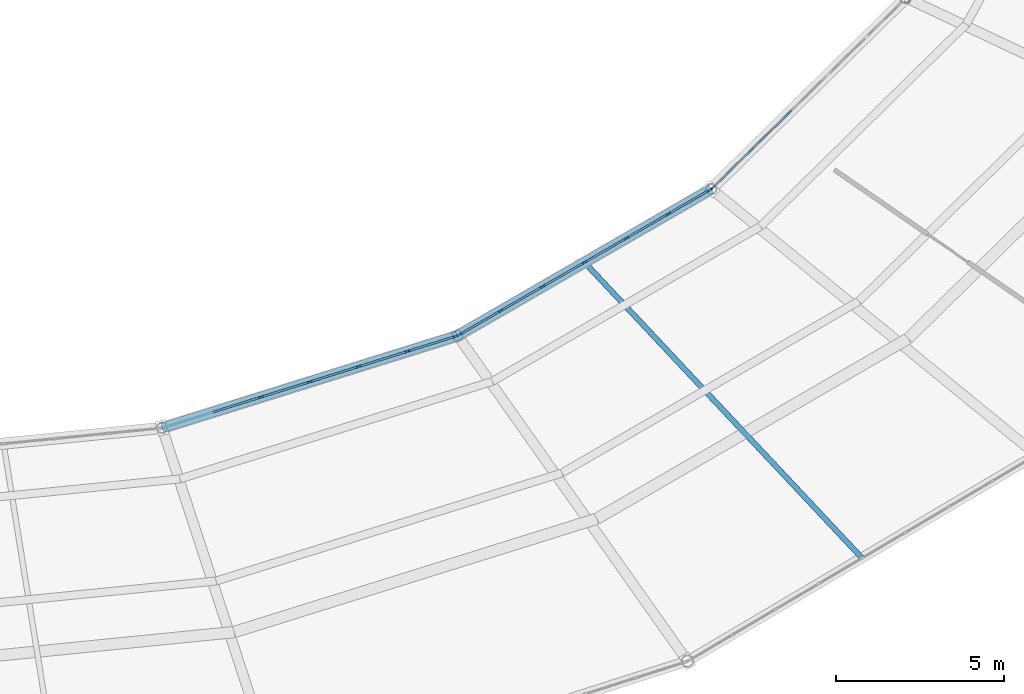
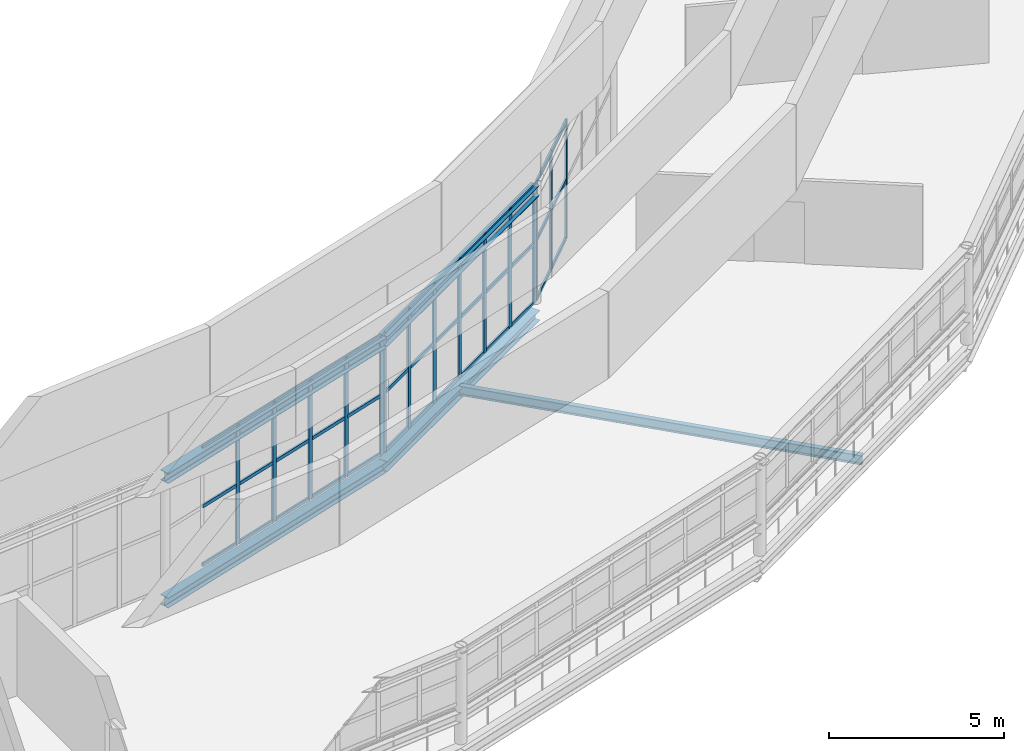
# One storey, part 46 of 123: 54 members, 5 beams, 3 elements without a shape of their own.
"""IFC4 building model written with IfcOpenShell, lengths in metres."""

from ifc_helpers import new_model, si_unit, direction, frame, origin, origin_2d, place, context, subcontext, project, spatial, rectangle, i_section, extrude, material, material_profile, profile_set, type_object, element, aggregate, save


model = new_model("IFC4")

# Units and contexts
model_context = context("Model", 3, precision=1e-05, world=origin(), true_north=direction((0.0, 1.0)))
body_context = subcontext(model_context, "Body", "Model", "MODEL_VIEW")
ifc_project = project(units=[si_unit("LENGTHUNIT", "METRE"), si_unit("AREAUNIT", "SQUARE_METRE"), si_unit("VOLUMEUNIT", "CUBIC_METRE"), si_unit("PLANEANGLEUNIT", "RADIAN"), si_unit("MASSUNIT", "GRAM", prefix="KILO")], contexts=[model_context])

# Site, building, storey
site_placement = place(None, origin())
site = spatial("IfcSite", under=ifc_project, at=site_placement, CompositionType="ELEMENT")
building_placement = place(site_placement, origin())
building = spatial("IfcBuilding", under=site, at=building_placement, Name="Kildeholm Park Wholesale Market", CompositionType="ELEMENT")
storey_placement = place(building_placement, frame((0.0, 0.0, 9.60009765625)))
storey = spatial("IfcBuildingStorey", under=building, at=storey_placement, Name="L02", CompositionType="ELEMENT", Elevation=9.60009765625)

# Beams
ifc_material_1 = material(Name="Steel S355", Category="steel")
ifc_material_profile_1 = material_profile(ifc_material_1, i_section(OverallWidth=0.300048828125, OverallDepth=0.35009765625, WebThickness=0.010009765625, FlangeThickness=0.017578125, FilletRadius=0.027099609375, at=origin_2d()), Name="HEA 360")
ifc_profile_set_1 = profile_set([ifc_material_profile_1], Name="Steel S355")
beam_type_1 = type_object("IfcBeamType", Name="Beam B-R01 HEA 360", PredefinedType="BEAM", material=ifc_profile_set_1)
beam_1_placement = place(storey_placement, frame((108.447021484375, 62.93701171875, -0.42919921875), z_axis=(0.9545990852, 0.297893582568, 0.0), x_axis=(-0.297893582568, 0.9545990852, 0.0)))
element("IfcBeam", 1, at=beam_1_placement, inside=storey, type_object=beam_type_1, Name="Beam BM-V1-L02-CI-19 BM-0178", PredefinedType="BEAM", context=body_context, shape_type="SweptSolid", body=[
    extrude(i_section(OverallWidth=0.300048828125, OverallDepth=0.35009765625, WebThickness=0.010009765625, FlangeThickness=0.017578125, FilletRadius=0.027099609375, at=origin_2d()), origin(), (0.0, 0.0, 1.0), 9.2216796875),
])
beam_2_placement = place(storey_placement, frame((117.25, 65.68408203125, -0.42919921875), z_axis=(0.865697347457, 0.500567780231, 0.0), x_axis=(-0.500567780231, 0.865697347457, 0.0)))
element("IfcBeam", 2, at=beam_2_placement, inside=storey, type_object=beam_type_1, Name="Beam BM-V1-L02-CI-20 BM-0187", PredefinedType="BEAM", context=body_context, shape_type="SweptSolid", body=[
    extrude(i_section(OverallWidth=0.300048828125, OverallDepth=0.35009765625, WebThickness=0.010009765625, FlangeThickness=0.017578125, FilletRadius=0.027099609375, at=origin_2d()), origin(), (0.0, 0.0, 1.0), 8.731689453125),
])
ifc_material_profile_2 = material_profile(ifc_material_1, i_section(OverallWidth=0.300048828125, OverallDepth=0.360107421875, WebThickness=0.012451171875, FlangeThickness=0.0224609375, FilletRadius=0.027099609375, at=origin_2d()), Name="HEB 360")
ifc_profile_set_2 = profile_set([ifc_material_profile_2], Name="Steel S355")
beam_type_2 = type_object("IfcBeamType", Name="Beam B-R03 HEB 360", PredefinedType="BEAM", material=ifc_profile_set_2)
beam_3_placement = place(storey_placement, frame((108.447021484375, 62.93701171875, 3.919921875), z_axis=(0.9545990852, 0.297893582568, 0.0), x_axis=(-0.297893582568, 0.9545990852, 0.0)))
element("IfcBeam", 3, at=beam_3_placement, inside=storey, type_object=beam_type_2, Name="Beam BM-V1-RF-IN-19 BM-0337", PredefinedType="BEAM", context=body_context, shape_type="SweptSolid", body=[
    extrude(i_section(OverallWidth=0.300048828125, OverallDepth=0.360107421875, WebThickness=0.012451171875, FlangeThickness=0.0224609375, FilletRadius=0.027099609375, at=origin_2d()), origin(), (0.0, 0.0, 1.0), 9.2216796875),
])
beam_4_placement = place(storey_placement, frame((117.25, 65.68408203125, 3.940185546875), z_axis=(0.865697347457, 0.500567780231, 0.0), x_axis=(-0.500567780231, 0.865697347457, 0.0)))
element("IfcBeam", 4, at=beam_4_placement, inside=storey, type_object=beam_type_2, Name="Beam BM-V1-RF-IN-20 BM-0343", PredefinedType="BEAM", context=body_context, shape_type="SweptSolid", body=[
    extrude(i_section(OverallWidth=0.300048828125, OverallDepth=0.360107421875, WebThickness=0.012451171875, FlangeThickness=0.0224609375, FilletRadius=0.027099609375, at=origin_2d()), origin(), (0.0, 0.0, 1.0), 8.731689453125),
])
ifc_material_profile_3 = material_profile(ifc_material_1, i_section(OverallWidth=0.159912109375, OverallDepth=0.330078125, WebThickness=0.007568359375, FlangeThickness=0.011474609375, FilletRadius=0.01806640625, at=origin_2d()), Name="IPE 330")
ifc_profile_set_3 = profile_set([ifc_material_profile_3], Name="Steel S355")
beam_type_3 = type_object("IfcBeamType", Name="Beam J-03 IPE 330", PredefinedType="JOIST", material=ifc_profile_set_3)
beam_5_placement = place(storey_placement, frame((121.043212890625, 67.85498046875, -0.4150390625), z_axis=(0.68439148237, -0.729114736416, 0.0), x_axis=(0.729114736416, 0.68439148237, 0.0)))
element("IfcBeam", 5, at=beam_5_placement, inside=storey, type_object=beam_type_3, Name="Beam JT-V1-L02-20 BM-0190", PredefinedType="JOIST", context=body_context, shape_type="SweptSolid", body=[
    extrude(i_section(OverallWidth=0.159912109375, OverallDepth=0.330078125, WebThickness=0.007568359375, FlangeThickness=0.011474609375, FilletRadius=0.01806640625, at=origin_2d()), origin(), (0.0, 0.0, 1.0), 12.04248046875),
])

# Curtain wall, members
ifc_material_2 = material(Name="Anodised aluminium and low-E double-glazed glass", Category="aluminium")
curtain_wall_type = type_object("IfcCurtainWallType", Name="Clerestory daylight stick curtain wall CW-02", PredefinedType="NOTDEFINED", material=ifc_material_2)
curtain_wall_1_placement = place(storey_placement, origin())
curtain_wall_1 = element("IfcCurtainWall", 6, at=curtain_wall_1_placement, inside=storey, type_object=curtain_wall_type, Name="Curtain wall CW-V1-IN2-19 CW-0098", PredefinedType="NOTDEFINED")
ifc_material_3 = material(Name="Anodised aluminium", Category="aluminium")
ifc_material_profile_4 = material_profile(ifc_material_3, rectangle(XDim=0.06005859375, YDim=0.14990234375, at=origin_2d()), Name="CWM 60x150")
ifc_profile_set_4 = profile_set([ifc_material_profile_4], Name="Anodised aluminium")
member_type_1 = type_object("IfcMemberType", Name="Curtain-wall mullion CWM-3 CWM 60x150", PredefinedType="MULLION", material=ifc_profile_set_4)
member_1_placement = place(storey_placement, frame((111.39599609375, 63.85302734375, 0.0), z_axis=(0.0, 0.0, 1.0), x_axis=(-0.297957339818, 0.954579186683, 0.0)))
member_1 = element("IfcMember", 7, at=member_1_placement, type_object=member_type_1, Name="CW-02 mullion 3 MEM-3101", PredefinedType="MULLION", context=body_context, shape_type="SweptSolid", body=[
    extrude(rectangle(XDim=0.06005859375, YDim=0.14990234375, at=origin_2d()), origin(), (0.0, 0.0, 1.0), 4.14990234375),
])
member_2_placement = place(storey_placement, frame((112.8505859375, 64.306884765625, 0.0), z_axis=(0.0, 0.0, 1.0), x_axis=(-0.297957339818, 0.954579186683, 0.0)))
member_2 = element("IfcMember", 8, at=member_2_placement, type_object=member_type_1, Name="CW-02 mullion 4 MEM-3102", PredefinedType="MULLION", context=body_context, shape_type="SweptSolid", body=[
    extrude(rectangle(XDim=0.06005859375, YDim=0.14990234375, at=origin_2d()), origin(), (0.0, 0.0, 1.0), 4.14990234375),
])
member_3_placement = place(storey_placement, frame((114.304931640625, 64.760986328125, 0.0), z_axis=(0.0, 0.0, 1.0), x_axis=(-0.297957339818, 0.954579186683, 0.0)))
member_3 = element("IfcMember", 9, at=member_3_placement, type_object=member_type_1, Name="CW-02 mullion 5 MEM-3103", PredefinedType="MULLION", context=body_context, shape_type="SweptSolid", body=[
    extrude(rectangle(XDim=0.06005859375, YDim=0.14990234375, at=origin_2d()), origin(), (0.0, 0.0, 1.0), 4.14990234375),
])
member_4_placement = place(storey_placement, frame((115.759521484375, 65.215087890625, 0.0), z_axis=(0.0, 0.0, 1.0), x_axis=(-0.297957339818, 0.954579186683, 0.0)))
member_4 = element("IfcMember", 10, at=member_4_placement, type_object=member_type_1, Name="CW-02 mullion 6 MEM-3104", PredefinedType="MULLION", context=body_context, shape_type="SweptSolid", body=[
    extrude(rectangle(XDim=0.06005859375, YDim=0.14990234375, at=origin_2d()), origin(), (0.0, 0.0, 1.0), 4.14990234375),
])
member_5_placement = place(storey_placement, frame((117.185302734375, 65.66015625, 0.0), z_axis=(0.0, 0.0, 1.0), x_axis=(-0.297957339818, 0.954579186683, 0.0)))
member_5 = element("IfcMember", 11, at=member_5_placement, type_object=member_type_1, Name="CW-02 mullion 7 MEM-3105", PredefinedType="MULLION", context=body_context, shape_type="SweptSolid", body=[
    extrude(rectangle(XDim=0.06005859375, YDim=0.14990234375, at=origin_2d()), origin(), (0.0, 0.0, 1.0), 4.14990234375),
])

curtain_wall_2_placement = place(storey_placement, origin())
curtain_wall_2 = element("IfcCurtainWall", 12, at=curtain_wall_2_placement, inside=storey, type_object=curtain_wall_type, Name="Curtain wall CW-V1-IN2-20 CW-0103", PredefinedType="NOTDEFINED")
member_6_placement = place(storey_placement, frame((117.31396484375, 65.716064453125, 0.0), z_axis=(0.0, 0.0, 1.0), x_axis=(-0.500489412982, 0.865742656621, 0.0)))
member_6 = element("IfcMember", 13, at=member_6_placement, type_object=member_type_1, Name="CW-02 mullion 1 MEM-3244", PredefinedType="MULLION", context=body_context, shape_type="SweptSolid", body=[
    extrude(rectangle(XDim=0.06005859375, YDim=0.14990234375, at=origin_2d()), origin(), (0.0, 0.0, 1.0), 4.14990234375),
])
member_7_placement = place(storey_placement, frame((118.536376953125, 66.422607421875, 0.0), z_axis=(0.0, 0.0, 1.0), x_axis=(-0.500489412982, 0.865742656621, 0.0)))
member_7 = element("IfcMember", 14, at=member_7_placement, type_object=member_type_1, Name="CW-02 mullion 2 MEM-3245", PredefinedType="MULLION", context=body_context, shape_type="SweptSolid", body=[
    extrude(rectangle(XDim=0.06005859375, YDim=0.14990234375, at=origin_2d()), origin(), (0.0, 0.0, 1.0), 4.14990234375),
])
member_8_placement = place(storey_placement, frame((119.78466796875, 67.144287109375, 0.0), z_axis=(0.0, 0.0, 1.0), x_axis=(-0.500489412982, 0.865742656621, 0.0)))
member_8 = element("IfcMember", 15, at=member_8_placement, type_object=member_type_1, Name="CW-02 mullion 3 MEM-3246", PredefinedType="MULLION", context=body_context, shape_type="SweptSolid", body=[
    extrude(rectangle(XDim=0.06005859375, YDim=0.14990234375, at=origin_2d()), origin(), (0.0, 0.0, 1.0), 4.14990234375),
])
member_9_placement = place(storey_placement, frame((121.032958984375, 67.865966796875, 0.0), z_axis=(0.0, 0.0, 1.0), x_axis=(-0.500489412982, 0.865742656621, 0.0)))
member_9 = element("IfcMember", 16, at=member_9_placement, type_object=member_type_1, Name="CW-02 mullion 4 MEM-3247", PredefinedType="MULLION", context=body_context, shape_type="SweptSolid", body=[
    extrude(rectangle(XDim=0.06005859375, YDim=0.14990234375, at=origin_2d()), origin(), (0.0, 0.0, 1.0), 4.14990234375),
])
member_10_placement = place(storey_placement, frame((122.28125, 68.587646484375, 0.0), z_axis=(0.0, 0.0, 1.0), x_axis=(-0.500489412982, 0.865742656621, 0.0)))
member_10 = element("IfcMember", 17, at=member_10_placement, type_object=member_type_1, Name="CW-02 mullion 5 MEM-3248", PredefinedType="MULLION", context=body_context, shape_type="SweptSolid", body=[
    extrude(rectangle(XDim=0.06005859375, YDim=0.14990234375, at=origin_2d()), origin(), (0.0, 0.0, 1.0), 4.14990234375),
])
member_11_placement = place(storey_placement, frame((123.52978515625, 69.309326171875, 0.0), z_axis=(0.0, 0.0, 1.0), x_axis=(-0.500489412982, 0.865742656621, 0.0)))
member_11 = element("IfcMember", 18, at=member_11_placement, type_object=member_type_1, Name="CW-02 mullion 6 MEM-3249", PredefinedType="MULLION", context=body_context, shape_type="SweptSolid", body=[
    extrude(rectangle(XDim=0.06005859375, YDim=0.14990234375, at=origin_2d()), origin(), (0.0, 0.0, 1.0), 4.14990234375),
])
member_12_placement = place(storey_placement, frame((124.751953125, 70.015869140625, 0.0), z_axis=(0.0, 0.0, 1.0), x_axis=(-0.500489412982, 0.865742656621, 0.0)))
member_12 = element("IfcMember", 19, at=member_12_placement, type_object=member_type_1, Name="CW-02 mullion 7 MEM-3250", PredefinedType="MULLION", context=body_context, shape_type="SweptSolid", body=[
    extrude(rectangle(XDim=0.06005859375, YDim=0.14990234375, at=origin_2d()), origin(), (0.0, 0.0, 1.0), 4.14990234375),
])

curtain_wall_3_placement = place(storey_placement, origin())
curtain_wall_3 = element("IfcCurtainWall", 20, at=curtain_wall_3_placement, inside=storey, type_object=curtain_wall_type, Name="Curtain wall CW-V1-IN2-21 CW-0108", PredefinedType="NOTDEFINED")
member_13_placement = place(storey_placement, frame((124.864501953125, 70.10107421875, 0.0), z_axis=(0.0, 0.0, 1.0), x_axis=(-0.700616534607, 0.713537995789, 0.0)))
member_13 = element("IfcMember", 21, at=member_13_placement, type_object=member_type_1, Name="CW-02 mullion 1 MEM-3377", PredefinedType="MULLION", context=body_context, shape_type="SweptSolid", body=[
    extrude(rectangle(XDim=0.06005859375, YDim=0.14990234375, at=origin_2d()), origin(), (0.0, 0.0, 1.0), 4.14990234375),
])
member_14_placement = place(storey_placement, frame((125.99169921875, 71.207763671875, 0.0), z_axis=(0.0, 0.0, 1.0), x_axis=(-0.700616534607, 0.713537995789, 0.0)))
member_14 = element("IfcMember", 22, at=member_14_placement, type_object=member_type_1, Name="CW-02 mullion 2 MEM-3378", PredefinedType="MULLION", context=body_context, shape_type="SweptSolid", body=[
    extrude(rectangle(XDim=0.06005859375, YDim=0.14990234375, at=origin_2d()), origin(), (0.0, 0.0, 1.0), 4.14990234375),
])
member_15_placement = place(storey_placement, frame((127.14013671875, 72.335693359375, 0.0), z_axis=(0.0, 0.0, 1.0), x_axis=(-0.700616534607, 0.713537995789, 0.0)))
member_15 = element("IfcMember", 23, at=member_15_placement, type_object=member_type_1, Name="CW-02 mullion 3 MEM-3379", PredefinedType="MULLION", context=body_context, shape_type="SweptSolid", body=[
    extrude(rectangle(XDim=0.06005859375, YDim=0.14990234375, at=origin_2d()), origin(), (0.0, 0.0, 1.0), 4.14990234375),
])

# Member
ifc_material_profile_5 = material_profile(ifc_material_3, rectangle(XDim=0.06005859375, YDim=0.1201171875, at=origin_2d()), Name="CWT 60x120")
ifc_profile_set_5 = profile_set([ifc_material_profile_5], Name="Anodised aluminium")
member_type_2 = type_object("IfcMemberType", Name="Curtain-wall transom CWT-3 CWT 60x120", PredefinedType="USERDEFINED", material=ifc_profile_set_5)
member_16_placement = place(storey_placement, frame((109.97021484375, 63.407958984375, 0.02978515625), z_axis=(0.954595656964, 0.297904568118, 0.0), x_axis=(-0.297904568118, 0.954595656964, 0.0)))
member_16 = element("IfcMember", 24, at=member_16_placement, type_object=member_type_2, Name="CW-02 transom 2.1 MEM-3109", ObjectType="TRANSOM", PredefinedType="USERDEFINED", context=body_context, shape_type="SweptSolid", body=[
    extrude(rectangle(XDim=0.06005859375, YDim=0.1201171875, at=origin_2d()), origin(), (0.0, 0.0, 1.0), 1.463623046875),
])

member_17_placement = place(storey_placement, frame((109.97021484375, 63.407958984375, 2.074951171875), z_axis=(0.954595656964, 0.297904568118, 0.0), x_axis=(-0.297904568118, 0.954595656964, 0.0)))
member_17 = element("IfcMember", 25, at=member_17_placement, type_object=member_type_2, Name="CW-02 transom 2.2 MEM-3110", ObjectType="TRANSOM", PredefinedType="USERDEFINED", context=body_context, shape_type="SweptSolid", body=[
    extrude(rectangle(XDim=0.06005859375, YDim=0.1201171875, at=origin_2d()), origin(), (0.0, 0.0, 1.0), 1.463623046875),
])

member_18_placement = place(storey_placement, frame((109.97021484375, 63.407958984375, 4.119873046875), z_axis=(0.954595656964, 0.297904568118, 0.0), x_axis=(-0.297904568118, 0.954595656964, 0.0)))
member_18 = element("IfcMember", 26, at=member_18_placement, type_object=member_type_2, Name="CW-02 transom 2.3 MEM-3111", ObjectType="TRANSOM", PredefinedType="USERDEFINED", context=body_context, shape_type="SweptSolid", body=[
    extrude(rectangle(XDim=0.06005859375, YDim=0.1201171875, at=origin_2d()), origin(), (0.0, 0.0, 1.0), 1.463623046875),
])

member_19_placement = place(storey_placement, frame((111.424560546875, 63.862060546875, 0.02978515625), z_axis=(0.954595656964, 0.297904568118, 0.0), x_axis=(-0.297904568118, 0.954595656964, 0.0)))
member_19 = element("IfcMember", 27, at=member_19_placement, type_object=member_type_2, Name="CW-02 transom 3.1 MEM-3112", ObjectType="TRANSOM", PredefinedType="USERDEFINED", context=body_context, shape_type="SweptSolid", body=[
    extrude(rectangle(XDim=0.06005859375, YDim=0.1201171875, at=origin_2d()), origin(), (0.0, 0.0, 1.0), 1.463623046875),
])

member_20_placement = place(storey_placement, frame((111.424560546875, 63.862060546875, 2.074951171875), z_axis=(0.954595656964, 0.297904568118, 0.0), x_axis=(-0.297904568118, 0.954595656964, 0.0)))
member_20 = element("IfcMember", 28, at=member_20_placement, type_object=member_type_2, Name="CW-02 transom 3.2 MEM-3113", ObjectType="TRANSOM", PredefinedType="USERDEFINED", context=body_context, shape_type="SweptSolid", body=[
    extrude(rectangle(XDim=0.06005859375, YDim=0.1201171875, at=origin_2d()), origin(), (0.0, 0.0, 1.0), 1.463623046875),
])

member_21_placement = place(storey_placement, frame((111.424560546875, 63.862060546875, 4.119873046875), z_axis=(0.954595656964, 0.297904568118, 0.0), x_axis=(-0.297904568118, 0.954595656964, 0.0)))
member_21 = element("IfcMember", 29, at=member_21_placement, type_object=member_type_2, Name="CW-02 transom 3.3 MEM-3114", ObjectType="TRANSOM", PredefinedType="USERDEFINED", context=body_context, shape_type="SweptSolid", body=[
    extrude(rectangle(XDim=0.06005859375, YDim=0.1201171875, at=origin_2d()), origin(), (0.0, 0.0, 1.0), 1.463623046875),
])

member_22_placement = place(storey_placement, frame((112.879150390625, 64.31591796875, 0.02978515625), z_axis=(0.954595656964, 0.297904568118, 0.0), x_axis=(-0.297904568118, 0.954595656964, 0.0)))
member_22 = element("IfcMember", 30, at=member_22_placement, type_object=member_type_2, Name="CW-02 transom 4.1 MEM-3115", ObjectType="TRANSOM", PredefinedType="USERDEFINED", context=body_context, shape_type="SweptSolid", body=[
    extrude(rectangle(XDim=0.06005859375, YDim=0.1201171875, at=origin_2d()), origin(), (0.0, 0.0, 1.0), 1.463623046875),
])

member_23_placement = place(storey_placement, frame((112.879150390625, 64.31591796875, 2.074951171875), z_axis=(0.954595656964, 0.297904568118, 0.0), x_axis=(-0.297904568118, 0.954595656964, 0.0)))
member_23 = element("IfcMember", 31, at=member_23_placement, type_object=member_type_2, Name="CW-02 transom 4.2 MEM-3116", ObjectType="TRANSOM", PredefinedType="USERDEFINED", context=body_context, shape_type="SweptSolid", body=[
    extrude(rectangle(XDim=0.06005859375, YDim=0.1201171875, at=origin_2d()), origin(), (0.0, 0.0, 1.0), 1.463623046875),
])

member_24_placement = place(storey_placement, frame((112.879150390625, 64.31591796875, 4.119873046875), z_axis=(0.954595656964, 0.297904568118, 0.0), x_axis=(-0.297904568118, 0.954595656964, 0.0)))
member_24 = element("IfcMember", 32, at=member_24_placement, type_object=member_type_2, Name="CW-02 transom 4.3 MEM-3117", ObjectType="TRANSOM", PredefinedType="USERDEFINED", context=body_context, shape_type="SweptSolid", body=[
    extrude(rectangle(XDim=0.06005859375, YDim=0.1201171875, at=origin_2d()), origin(), (0.0, 0.0, 1.0), 1.463623046875),
])

member_25_placement = place(storey_placement, frame((114.333740234375, 64.77001953125, 0.02978515625), z_axis=(0.954595656964, 0.297904568118, 0.0), x_axis=(-0.297904568118, 0.954595656964, 0.0)))
member_25 = element("IfcMember", 33, at=member_25_placement, type_object=member_type_2, Name="CW-02 transom 5.1 MEM-3118", ObjectType="TRANSOM", PredefinedType="USERDEFINED", context=body_context, shape_type="SweptSolid", body=[
    extrude(rectangle(XDim=0.06005859375, YDim=0.1201171875, at=origin_2d()), origin(), (0.0, 0.0, 1.0), 1.463623046875),
])

member_26_placement = place(storey_placement, frame((114.333740234375, 64.77001953125, 2.074951171875), z_axis=(0.954595656964, 0.297904568118, 0.0), x_axis=(-0.297904568118, 0.954595656964, 0.0)))
member_26 = element("IfcMember", 34, at=member_26_placement, type_object=member_type_2, Name="CW-02 transom 5.2 MEM-3119", ObjectType="TRANSOM", PredefinedType="USERDEFINED", context=body_context, shape_type="SweptSolid", body=[
    extrude(rectangle(XDim=0.06005859375, YDim=0.1201171875, at=origin_2d()), origin(), (0.0, 0.0, 1.0), 1.463623046875),
])

member_27_placement = place(storey_placement, frame((114.333740234375, 64.77001953125, 4.119873046875), z_axis=(0.954595656964, 0.297904568118, 0.0), x_axis=(-0.297904568118, 0.954595656964, 0.0)))
member_27 = element("IfcMember", 35, at=member_27_placement, type_object=member_type_2, Name="CW-02 transom 5.3 MEM-3120", ObjectType="TRANSOM", PredefinedType="USERDEFINED", context=body_context, shape_type="SweptSolid", body=[
    extrude(rectangle(XDim=0.06005859375, YDim=0.1201171875, at=origin_2d()), origin(), (0.0, 0.0, 1.0), 1.463623046875),
])

member_28_placement = place(storey_placement, frame((115.7880859375, 65.223876953125, 0.02978515625), z_axis=(0.954570828719, 0.29798411528, 0.0), x_axis=(-0.29798411528, 0.954570828719, 0.0)))
member_28 = element("IfcMember", 36, at=member_28_placement, type_object=member_type_2, Name="CW-02 transom 6.1 MEM-3121", ObjectType="TRANSOM", PredefinedType="USERDEFINED", context=body_context, shape_type="SweptSolid", body=[
    extrude(rectangle(XDim=0.06005859375, YDim=0.1201171875, at=origin_2d()), origin(), (0.0, 0.0, 1.0), 1.433837890625),
])

member_29_placement = place(storey_placement, frame((115.7880859375, 65.223876953125, 2.074951171875), z_axis=(0.954570828719, 0.29798411528, 0.0), x_axis=(-0.29798411528, 0.954570828719, 0.0)))
member_29 = element("IfcMember", 37, at=member_29_placement, type_object=member_type_2, Name="CW-02 transom 6.2 MEM-3122", ObjectType="TRANSOM", PredefinedType="USERDEFINED", context=body_context, shape_type="SweptSolid", body=[
    extrude(rectangle(XDim=0.06005859375, YDim=0.1201171875, at=origin_2d()), origin(), (0.0, 0.0, 1.0), 1.433837890625),
])

member_30_placement = place(storey_placement, frame((115.7880859375, 65.223876953125, 4.119873046875), z_axis=(0.954570828719, 0.29798411528, 0.0), x_axis=(-0.29798411528, 0.954570828719, 0.0)))
member_30 = element("IfcMember", 38, at=member_30_placement, type_object=member_type_2, Name="CW-02 transom 6.3 MEM-3123", ObjectType="TRANSOM", PredefinedType="USERDEFINED", context=body_context, shape_type="SweptSolid", body=[
    extrude(rectangle(XDim=0.06005859375, YDim=0.1201171875, at=origin_2d()), origin(), (0.0, 0.0, 1.0), 1.433837890625),
])

aggregate(curtain_wall_1, [member_1, member_2, member_3, member_4, member_5, member_16, member_17, member_18, member_19, member_20, member_21, member_22, member_23, member_24, member_25, member_26, member_27, member_28, member_29, member_30])

member_31_placement = place(storey_placement, frame((117.33984375, 65.73095703125, 0.02978515625), z_axis=(0.865698151159, 0.500566390282, 0.0), x_axis=(-0.500566390282, 0.865698151159, 0.0)))
member_31 = element("IfcMember", 39, at=member_31_placement, type_object=member_type_2, Name="CW-02 transom 1.1 MEM-3251", ObjectType="TRANSOM", PredefinedType="USERDEFINED", context=body_context, shape_type="SweptSolid", body=[
    extrude(rectangle(XDim=0.06005859375, YDim=0.1201171875, at=origin_2d()), origin(), (0.0, 0.0, 1.0), 1.35205078125),
])

member_32_placement = place(storey_placement, frame((117.33984375, 65.73095703125, 2.074951171875), z_axis=(0.865698151159, 0.500566390282, 0.0), x_axis=(-0.500566390282, 0.865698151159, 0.0)))
member_32 = element("IfcMember", 40, at=member_32_placement, type_object=member_type_2, Name="CW-02 transom 1.2 MEM-3252", ObjectType="TRANSOM", PredefinedType="USERDEFINED", context=body_context, shape_type="SweptSolid", body=[
    extrude(rectangle(XDim=0.06005859375, YDim=0.1201171875, at=origin_2d()), origin(), (0.0, 0.0, 1.0), 1.35205078125),
])

member_33_placement = place(storey_placement, frame((117.33984375, 65.73095703125, 4.119873046875), z_axis=(0.865698151159, 0.500566390282, 0.0), x_axis=(-0.500566390282, 0.865698151159, 0.0)))
member_33 = element("IfcMember", 41, at=member_33_placement, type_object=member_type_2, Name="CW-02 transom 1.3 MEM-3253", ObjectType="TRANSOM", PredefinedType="USERDEFINED", context=body_context, shape_type="SweptSolid", body=[
    extrude(rectangle(XDim=0.06005859375, YDim=0.1201171875, at=origin_2d()), origin(), (0.0, 0.0, 1.0), 1.35205078125),
])

member_34_placement = place(storey_placement, frame((118.562255859375, 66.437744140625, 0.02978515625), z_axis=(0.865764729264, 0.500451229954, 0.0), x_axis=(-0.500451229954, 0.865764729264, 0.0)))
member_34 = element("IfcMember", 42, at=member_34_placement, type_object=member_type_2, Name="CW-02 transom 2.1 MEM-3254", ObjectType="TRANSOM", PredefinedType="USERDEFINED", context=body_context, shape_type="SweptSolid", body=[
    extrude(rectangle(XDim=0.06005859375, YDim=0.1201171875, at=origin_2d()), origin(), (0.0, 0.0, 1.0), 1.382080078125),
])

member_35_placement = place(storey_placement, frame((118.562255859375, 66.437744140625, 2.074951171875), z_axis=(0.865764729264, 0.500451229954, 0.0), x_axis=(-0.500451229954, 0.865764729264, 0.0)))
member_35 = element("IfcMember", 43, at=member_35_placement, type_object=member_type_2, Name="CW-02 transom 2.2 MEM-3255", ObjectType="TRANSOM", PredefinedType="USERDEFINED", context=body_context, shape_type="SweptSolid", body=[
    extrude(rectangle(XDim=0.06005859375, YDim=0.1201171875, at=origin_2d()), origin(), (0.0, 0.0, 1.0), 1.382080078125),
])

member_36_placement = place(storey_placement, frame((118.562255859375, 66.437744140625, 4.119873046875), z_axis=(0.865764729264, 0.500451229954, 0.0), x_axis=(-0.500451229954, 0.865764729264, 0.0)))
member_36 = element("IfcMember", 44, at=member_36_placement, type_object=member_type_2, Name="CW-02 transom 2.3 MEM-3256", ObjectType="TRANSOM", PredefinedType="USERDEFINED", context=body_context, shape_type="SweptSolid", body=[
    extrude(rectangle(XDim=0.06005859375, YDim=0.1201171875, at=origin_2d()), origin(), (0.0, 0.0, 1.0), 1.382080078125),
])

member_37_placement = place(storey_placement, frame((119.810546875, 67.159423828125, 0.02978515625), z_axis=(0.865764729264, 0.500451229954, 0.0), x_axis=(-0.500451229954, 0.865764729264, 0.0)))
member_37 = element("IfcMember", 45, at=member_37_placement, type_object=member_type_2, Name="CW-02 transom 3.1 MEM-3257", ObjectType="TRANSOM", PredefinedType="USERDEFINED", context=body_context, shape_type="SweptSolid", body=[
    extrude(rectangle(XDim=0.06005859375, YDim=0.1201171875, at=origin_2d()), origin(), (0.0, 0.0, 1.0), 1.382080078125),
])

member_38_placement = place(storey_placement, frame((119.810546875, 67.159423828125, 2.074951171875), z_axis=(0.865764729264, 0.500451229954, 0.0), x_axis=(-0.500451229954, 0.865764729264, 0.0)))
member_38 = element("IfcMember", 46, at=member_38_placement, type_object=member_type_2, Name="CW-02 transom 3.2 MEM-3258", ObjectType="TRANSOM", PredefinedType="USERDEFINED", context=body_context, shape_type="SweptSolid", body=[
    extrude(rectangle(XDim=0.06005859375, YDim=0.1201171875, at=origin_2d()), origin(), (0.0, 0.0, 1.0), 1.382080078125),
])

member_39_placement = place(storey_placement, frame((119.810546875, 67.159423828125, 4.119873046875), z_axis=(0.865764729264, 0.500451229954, 0.0), x_axis=(-0.500451229954, 0.865764729264, 0.0)))
member_39 = element("IfcMember", 47, at=member_39_placement, type_object=member_type_2, Name="CW-02 transom 3.3 MEM-3259", ObjectType="TRANSOM", PredefinedType="USERDEFINED", context=body_context, shape_type="SweptSolid", body=[
    extrude(rectangle(XDim=0.06005859375, YDim=0.1201171875, at=origin_2d()), origin(), (0.0, 0.0, 1.0), 1.382080078125),
])

member_40_placement = place(storey_placement, frame((121.05908203125, 67.881103515625, 0.02978515625), z_axis=(0.865720476709, 0.500527777657, 0.0), x_axis=(-0.500527777657, 0.865720476709, 0.0)))
member_40 = element("IfcMember", 48, at=member_40_placement, type_object=member_type_2, Name="CW-02 transom 4.1 MEM-3260", ObjectType="TRANSOM", PredefinedType="USERDEFINED", context=body_context, shape_type="SweptSolid", body=[
    extrude(rectangle(XDim=0.06005859375, YDim=0.1201171875, at=origin_2d()), origin(), (0.0, 0.0, 1.0), 1.3818359375),
])

member_41_placement = place(storey_placement, frame((121.05908203125, 67.881103515625, 2.074951171875), z_axis=(0.865720476709, 0.500527777657, 0.0), x_axis=(-0.500527777657, 0.865720476709, 0.0)))
member_41 = element("IfcMember", 49, at=member_41_placement, type_object=member_type_2, Name="CW-02 transom 4.2 MEM-3261", ObjectType="TRANSOM", PredefinedType="USERDEFINED", context=body_context, shape_type="SweptSolid", body=[
    extrude(rectangle(XDim=0.06005859375, YDim=0.1201171875, at=origin_2d()), origin(), (0.0, 0.0, 1.0), 1.3818359375),
])

member_42_placement = place(storey_placement, frame((121.05908203125, 67.881103515625, 4.119873046875), z_axis=(0.865720476709, 0.500527777657, 0.0), x_axis=(-0.500527777657, 0.865720476709, 0.0)))
member_42 = element("IfcMember", 50, at=member_42_placement, type_object=member_type_2, Name="CW-02 transom 4.3 MEM-3262", ObjectType="TRANSOM", PredefinedType="USERDEFINED", context=body_context, shape_type="SweptSolid", body=[
    extrude(rectangle(XDim=0.06005859375, YDim=0.1201171875, at=origin_2d()), origin(), (0.0, 0.0, 1.0), 1.3818359375),
])

member_43_placement = place(storey_placement, frame((122.307373046875, 68.602783203125, 0.02978515625), z_axis=(0.865720476709, 0.500527777657, 0.0), x_axis=(-0.500527777657, 0.865720476709, 0.0)))
member_43 = element("IfcMember", 51, at=member_43_placement, type_object=member_type_2, Name="CW-02 transom 5.1 MEM-3263", ObjectType="TRANSOM", PredefinedType="USERDEFINED", context=body_context, shape_type="SweptSolid", body=[
    extrude(rectangle(XDim=0.06005859375, YDim=0.1201171875, at=origin_2d()), origin(), (0.0, 0.0, 1.0), 1.3818359375),
])

member_44_placement = place(storey_placement, frame((122.307373046875, 68.602783203125, 2.074951171875), z_axis=(0.865720476709, 0.500527777657, 0.0), x_axis=(-0.500527777657, 0.865720476709, 0.0)))
member_44 = element("IfcMember", 52, at=member_44_placement, type_object=member_type_2, Name="CW-02 transom 5.2 MEM-3264", ObjectType="TRANSOM", PredefinedType="USERDEFINED", context=body_context, shape_type="SweptSolid", body=[
    extrude(rectangle(XDim=0.06005859375, YDim=0.1201171875, at=origin_2d()), origin(), (0.0, 0.0, 1.0), 1.3818359375),
])

member_45_placement = place(storey_placement, frame((122.307373046875, 68.602783203125, 4.119873046875), z_axis=(0.865720476709, 0.500527777657, 0.0), x_axis=(-0.500527777657, 0.865720476709, 0.0)))
member_45 = element("IfcMember", 53, at=member_45_placement, type_object=member_type_2, Name="CW-02 transom 5.3 MEM-3265", ObjectType="TRANSOM", PredefinedType="USERDEFINED", context=body_context, shape_type="SweptSolid", body=[
    extrude(rectangle(XDim=0.06005859375, YDim=0.1201171875, at=origin_2d()), origin(), (0.0, 0.0, 1.0), 1.3818359375),
])

member_46_placement = place(storey_placement, frame((123.5556640625, 69.324462890625, 0.02978515625), z_axis=(0.865776399866, 0.500431039639, 0.0), x_axis=(-0.500431039639, 0.865776399866, 0.0)))
member_46 = element("IfcMember", 54, at=member_46_placement, type_object=member_type_2, Name="CW-02 transom 6.1 MEM-3266", ObjectType="TRANSOM", PredefinedType="USERDEFINED", context=body_context, shape_type="SweptSolid", body=[
    extrude(rectangle(XDim=0.06005859375, YDim=0.1201171875, at=origin_2d()), origin(), (0.0, 0.0, 1.0), 1.351806640625),
])

member_47_placement = place(storey_placement, frame((123.5556640625, 69.324462890625, 2.074951171875), z_axis=(0.865776399866, 0.500431039639, 0.0), x_axis=(-0.500431039639, 0.865776399866, 0.0)))
member_47 = element("IfcMember", 55, at=member_47_placement, type_object=member_type_2, Name="CW-02 transom 6.2 MEM-3267", ObjectType="TRANSOM", PredefinedType="USERDEFINED", context=body_context, shape_type="SweptSolid", body=[
    extrude(rectangle(XDim=0.06005859375, YDim=0.1201171875, at=origin_2d()), origin(), (0.0, 0.0, 1.0), 1.351806640625),
])

member_48_placement = place(storey_placement, frame((123.5556640625, 69.324462890625, 4.119873046875), z_axis=(0.865776399866, 0.500431039639, 0.0), x_axis=(-0.500431039639, 0.865776399866, 0.0)))
member_48 = element("IfcMember", 56, at=member_48_placement, type_object=member_type_2, Name="CW-02 transom 6.3 MEM-3268", ObjectType="TRANSOM", PredefinedType="USERDEFINED", context=body_context, shape_type="SweptSolid", body=[
    extrude(rectangle(XDim=0.06005859375, YDim=0.1201171875, at=origin_2d()), origin(), (0.0, 0.0, 1.0), 1.351806640625),
])

aggregate(curtain_wall_2, [member_6, member_7, member_8, member_9, member_10, member_11, member_12, member_31, member_32, member_33, member_34, member_35, member_36, member_37, member_38, member_39, member_40, member_41, member_42, member_43, member_44, member_45, member_46, member_47, member_48])

member_49_placement = place(storey_placement, frame((124.8857421875, 70.1220703125, 0.02978515625), z_axis=(0.713582952172, 0.700570746156, 0.0), x_axis=(-0.700570746156, 0.713582952172, 0.0)))
member_49 = element("IfcMember", 57, at=member_49_placement, type_object=member_type_2, Name="CW-02 transom 1.1 MEM-3383", ObjectType="TRANSOM", PredefinedType="USERDEFINED", context=body_context, shape_type="SweptSolid", body=[
    extrude(rectangle(XDim=0.06005859375, YDim=0.1201171875, at=origin_2d()), origin(), (0.0, 0.0, 1.0), 1.519775390625),
])

member_50_placement = place(storey_placement, frame((124.8857421875, 70.1220703125, 2.074951171875), z_axis=(0.713582952172, 0.700570746156, 0.0), x_axis=(-0.700570746156, 0.713582952172, 0.0)))
member_50 = element("IfcMember", 58, at=member_50_placement, type_object=member_type_2, Name="CW-02 transom 1.2 MEM-3384", ObjectType="TRANSOM", PredefinedType="USERDEFINED", context=body_context, shape_type="SweptSolid", body=[
    extrude(rectangle(XDim=0.06005859375, YDim=0.1201171875, at=origin_2d()), origin(), (0.0, 0.0, 1.0), 1.519775390625),
])

member_51_placement = place(storey_placement, frame((124.8857421875, 70.1220703125, 4.119873046875), z_axis=(0.713582952172, 0.700570746156, 0.0), x_axis=(-0.700570746156, 0.713582952172, 0.0)))
member_51 = element("IfcMember", 59, at=member_51_placement, type_object=member_type_2, Name="CW-02 transom 1.3 MEM-3385", ObjectType="TRANSOM", PredefinedType="USERDEFINED", context=body_context, shape_type="SweptSolid", body=[
    extrude(rectangle(XDim=0.06005859375, YDim=0.1201171875, at=origin_2d()), origin(), (0.0, 0.0, 1.0), 1.519775390625),
])

member_52_placement = place(storey_placement, frame((126.012939453125, 71.228759765625, 0.02978515625), z_axis=(0.713535335808, 0.700619243636, 0.0), x_axis=(-0.700619243636, 0.713535335808, 0.0)))
member_52 = element("IfcMember", 60, at=member_52_placement, type_object=member_type_2, Name="CW-02 transom 2.1 MEM-3386", ObjectType="TRANSOM", PredefinedType="USERDEFINED", context=body_context, shape_type="SweptSolid", body=[
    extrude(rectangle(XDim=0.06005859375, YDim=0.1201171875, at=origin_2d()), origin(), (0.0, 0.0, 1.0), 1.550048828125),
])

member_53_placement = place(storey_placement, frame((126.012939453125, 71.228759765625, 2.074951171875), z_axis=(0.713535335808, 0.700619243636, 0.0), x_axis=(-0.700619243636, 0.713535335808, 0.0)))
member_53 = element("IfcMember", 61, at=member_53_placement, type_object=member_type_2, Name="CW-02 transom 2.2 MEM-3387", ObjectType="TRANSOM", PredefinedType="USERDEFINED", context=body_context, shape_type="SweptSolid", body=[
    extrude(rectangle(XDim=0.06005859375, YDim=0.1201171875, at=origin_2d()), origin(), (0.0, 0.0, 1.0), 1.550048828125),
])

member_54_placement = place(storey_placement, frame((126.012939453125, 71.228759765625, 4.119873046875), z_axis=(0.713535335808, 0.700619243636, 0.0), x_axis=(-0.700619243636, 0.713535335808, 0.0)))
member_54 = element("IfcMember", 62, at=member_54_placement, type_object=member_type_2, Name="CW-02 transom 2.3 MEM-3388", ObjectType="TRANSOM", PredefinedType="USERDEFINED", context=body_context, shape_type="SweptSolid", body=[
    extrude(rectangle(XDim=0.06005859375, YDim=0.1201171875, at=origin_2d()), origin(), (0.0, 0.0, 1.0), 1.550048828125),
])

aggregate(curtain_wall_3, [member_13, member_14, member_15, member_49, member_50, member_51, member_52, member_53, member_54])

save(model, "model.ifc")
